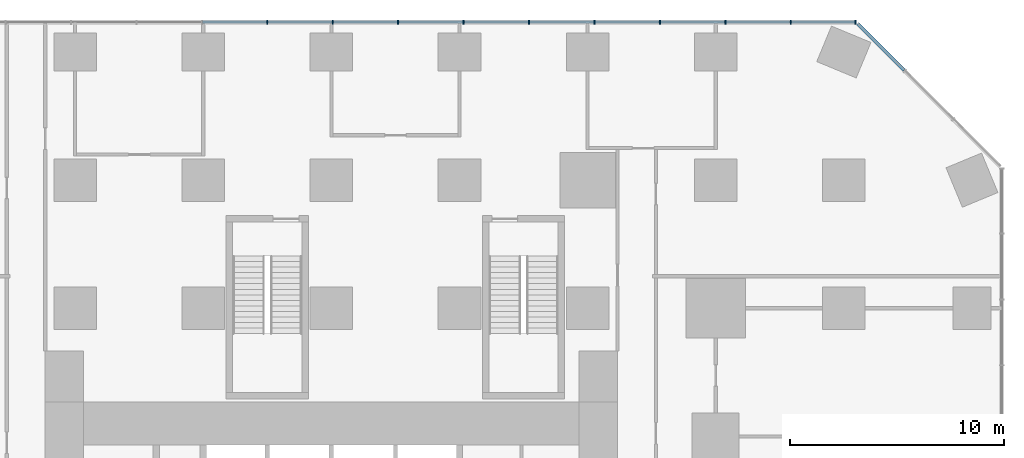
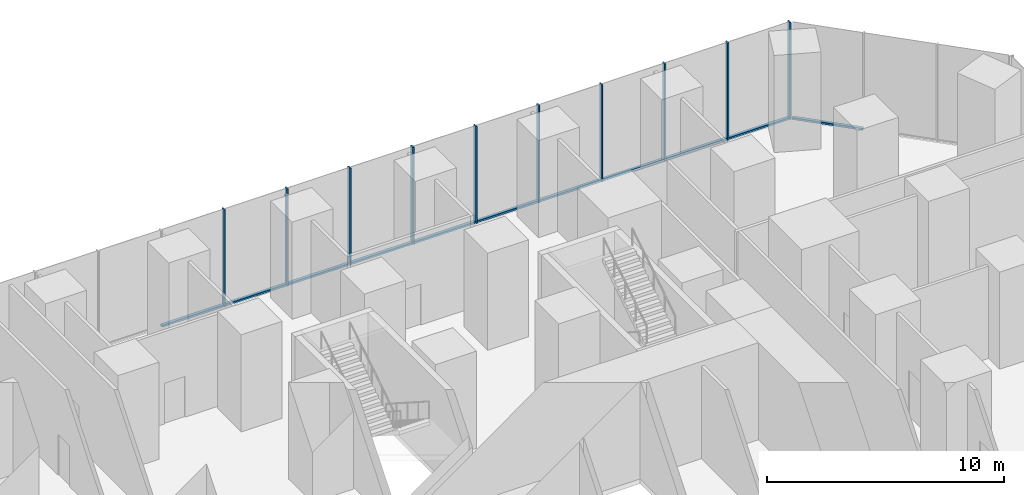
# One storey, part 6 of 15: 21 members, 2 elements without a shape of their own.
"""IFC4 building model written with IfcOpenShell, lengths in metres."""

from ifc_helpers import new_model, si_unit, direction, frame, origin, origin_2d, place, context, subcontext, project, spatial, rectangle, extrude, material, layer, layer_set, material_profile, profile_set, type_object, element, aggregate, save


model = new_model("IFC4")

# Units and contexts
model_context = context("Model", 3, precision=1e-05, world=origin(), true_north=direction((0.0, 1.0)))
body_context = subcontext(model_context, "Body", "Model", "MODEL_VIEW")
ifc_project = project(units=[si_unit("LENGTHUNIT", "METRE"), si_unit("AREAUNIT", "SQUARE_METRE"), si_unit("VOLUMEUNIT", "CUBIC_METRE"), si_unit("PLANEANGLEUNIT", "RADIAN"), si_unit("MASSUNIT", "GRAM", prefix="KILO")], contexts=[model_context])

# Site, building, storey
site_placement = place(None, origin())
site = spatial("IfcSite", under=ifc_project, at=site_placement, CompositionType="ELEMENT")
building_placement = place(site_placement, origin())
building = spatial("IfcBuilding", under=site, at=building_placement, Name="Highveld Stack Headquarters", CompositionType="ELEMENT")
storey_placement = place(building_placement, frame((0.0, 0.0, 6.0)))
storey = spatial("IfcBuildingStorey", under=building, at=storey_placement, Name="L01", CompositionType="ELEMENT", Elevation=6.0)

# Curtain wall, members
ifc_material_1 = material(Name="Aluminium bronze anodised", Category="aluminium")
ifc_layer = layer(ifc_material_1, 0.199951171875)
ifc_layer_set = layer_set([ifc_layer], Name="Aluminium bronze anodised")
curtain_wall_type = type_object("IfcCurtainWallType", Name="CW3 PODIUM STICK CURTAIN WALL", PredefinedType="NOTDEFINED", material=ifc_layer_set)
curtain_wall_1_placement = place(storey_placement, origin())
curtain_wall_1 = element("IfcCurtainWall", 1, at=curtain_wall_1_placement, inside=storey, type_object=curtain_wall_type, Name="Curtain wall CW3 L01 N", PredefinedType="NOTDEFINED")
ifc_material_2 = material(Name="Aluminium bronze anodised", Category="aluminium")
ifc_material_profile_1 = material_profile(ifc_material_2, rectangle(XDim=0.199951171875, YDim=0.06494140625, at=origin_2d()), Name="CW3 MULLION 65x200")
ifc_profile_set_1 = profile_set([ifc_material_profile_1], Name="Aluminium bronze anodised")
member_type_1 = type_object("IfcMemberType", Name="CW3 MULLION 65x200", PredefinedType="MULLION", material=ifc_profile_set_1)
member_1_placement = place(storey_placement, frame((30.54736328125, 31.39990234375, 0.0), z_axis=(0.0, 0.0, 1.0), x_axis=(0.0, -1.0, 0.0)))
member_1 = element("IfcMember", 2, at=member_1_placement, type_object=member_type_1, Name="CW3 mullion L01 1", PredefinedType="MULLION", context=body_context, shape_type="SweptSolid", body=[
    extrude(rectangle(XDim=0.199951171875, YDim=0.06494140625, at=origin_2d()), origin(), (0.0, 0.0, 1.0), 5.0),
])
member_2_placement = place(storey_placement, frame((27.515380859375, 31.39990234375, 0.0), z_axis=(0.0, 0.0, 1.0), x_axis=(0.0, -1.0, 0.0)))
member_2 = element("IfcMember", 3, at=member_2_placement, type_object=member_type_1, Name="CW3 mullion L01 2", PredefinedType="MULLION", context=body_context, shape_type="SweptSolid", body=[
    extrude(rectangle(XDim=0.199951171875, YDim=0.06494140625, at=origin_2d()), origin(), (0.0, 0.0, 1.0), 5.0),
])
member_3_placement = place(storey_placement, frame((24.450927734375, 31.39990234375, 0.0), z_axis=(0.0, 0.0, 1.0), x_axis=(0.0, -1.0, 0.0)))
member_3 = element("IfcMember", 4, at=member_3_placement, type_object=member_type_1, Name="CW3 mullion L01 3", PredefinedType="MULLION", context=body_context, shape_type="SweptSolid", body=[
    extrude(rectangle(XDim=0.199951171875, YDim=0.06494140625, at=origin_2d()), origin(), (0.0, 0.0, 1.0), 5.0),
])
member_4_placement = place(storey_placement, frame((21.38671875, 31.39990234375, 0.0), z_axis=(0.0, 0.0, 1.0), x_axis=(0.0, -1.0, 0.0)))
member_4 = element("IfcMember", 5, at=member_4_placement, type_object=member_type_1, Name="CW3 mullion L01 4", PredefinedType="MULLION", context=body_context, shape_type="SweptSolid", body=[
    extrude(rectangle(XDim=0.199951171875, YDim=0.06494140625, at=origin_2d()), origin(), (0.0, 0.0, 1.0), 5.0),
])
member_5_placement = place(storey_placement, frame((18.322265625, 31.39990234375, 0.0), z_axis=(0.0, 0.0, 1.0), x_axis=(0.0, -1.0, 0.0)))
member_5 = element("IfcMember", 6, at=member_5_placement, type_object=member_type_1, Name="CW3 mullion L01 5", PredefinedType="MULLION", context=body_context, shape_type="SweptSolid", body=[
    extrude(rectangle(XDim=0.199951171875, YDim=0.06494140625, at=origin_2d()), origin(), (0.0, 0.0, 1.0), 5.0),
])
member_6_placement = place(storey_placement, frame((15.2578125, 31.39990234375, 0.0), z_axis=(0.0, 0.0, 1.0), x_axis=(0.0, -1.0, 0.0)))
member_6 = element("IfcMember", 7, at=member_6_placement, type_object=member_type_1, Name="CW3 mullion L01 6", PredefinedType="MULLION", context=body_context, shape_type="SweptSolid", body=[
    extrude(rectangle(XDim=0.199951171875, YDim=0.06494140625, at=origin_2d()), origin(), (0.0, 0.0, 1.0), 5.0),
])
member_7_placement = place(storey_placement, frame((12.193359375, 31.39990234375, 0.0), z_axis=(0.0, 0.0, 1.0), x_axis=(0.0, -1.0, 0.0)))
member_7 = element("IfcMember", 8, at=member_7_placement, type_object=member_type_1, Name="CW3 mullion L01 7", PredefinedType="MULLION", context=body_context, shape_type="SweptSolid", body=[
    extrude(rectangle(XDim=0.199951171875, YDim=0.06494140625, at=origin_2d()), origin(), (0.0, 0.0, 1.0), 5.0),
])
member_8_placement = place(storey_placement, frame((9.12890625, 31.39990234375, 0.0), z_axis=(0.0, 0.0, 1.0), x_axis=(0.0, -1.0, 0.0)))
member_8 = element("IfcMember", 9, at=member_8_placement, type_object=member_type_1, Name="CW3 mullion L01 8", PredefinedType="MULLION", context=body_context, shape_type="SweptSolid", body=[
    extrude(rectangle(XDim=0.199951171875, YDim=0.06494140625, at=origin_2d()), origin(), (0.0, 0.0, 1.0), 5.0),
])
member_9_placement = place(storey_placement, frame((6.064453125, 31.39990234375, 0.0), z_axis=(0.0, 0.0, 1.0), x_axis=(0.0, -1.0, 0.0)))
member_9 = element("IfcMember", 10, at=member_9_placement, type_object=member_type_1, Name="CW3 mullion L01 9", PredefinedType="MULLION", context=body_context, shape_type="SweptSolid", body=[
    extrude(rectangle(XDim=0.199951171875, YDim=0.06494140625, at=origin_2d()), origin(), (0.0, 0.0, 1.0), 5.0),
])
member_10_placement = place(storey_placement, frame((3.0, 31.39990234375, 0.0), z_axis=(0.0, 0.0, 1.0), x_axis=(0.0, -1.0, 0.0)))
member_10 = element("IfcMember", 11, at=member_10_placement, type_object=member_type_1, Name="CW3 mullion L01 10", PredefinedType="MULLION", context=body_context, shape_type="SweptSolid", body=[
    extrude(rectangle(XDim=0.199951171875, YDim=0.06494140625, at=origin_2d()), origin(), (0.0, 0.0, 1.0), 5.0),
])

# Curtain wall, member
curtain_wall_2_placement = place(storey_placement, origin())
curtain_wall_2 = element("IfcCurtainWall", 12, at=curtain_wall_2_placement, inside=storey, type_object=curtain_wall_type, Name="Curtain wall CW3 L01 NE", PredefinedType="NOTDEFINED")
ifc_material_3 = material(Name="Aluminium bronze anodised", Category="aluminium")
ifc_material_profile_2 = material_profile(ifc_material_3, rectangle(XDim=0.14990234375, YDim=0.10009765625, at=origin_2d()), Name="CW3 TRANSOM 150x100")
ifc_profile_set_2 = profile_set([ifc_material_profile_2], Name="Aluminium bronze anodised")
member_type_2 = type_object("IfcMemberType", Name="CW3 STACK TRANSOM 150x100", PredefinedType="USERDEFINED", material=ifc_profile_set_2)
member_11_placement = place(storey_placement, frame((32.830322265625, 29.149658203125, 0.050048828125), z_axis=(-0.707106781187, 0.707106781187, 0.0), x_axis=(-0.707106781187, -0.707106781187, 0.0)))
member_11 = element("IfcMember", 13, at=member_11_placement, type_object=member_type_2, Name="CW3 transom L01 3.1", ObjectType="TRANSOM", PredefinedType="USERDEFINED", context=body_context, shape_type="SweptSolid", body=[
    extrude(rectangle(XDim=0.14990234375, YDim=0.10009765625, at=origin_2d()), origin(), (0.0, 0.0, 1.0), 3.08251953125),
])
aggregate(curtain_wall_2, [member_11])

# Member
member_12_placement = place(storey_placement, frame((30.514892578125, 31.39990234375, 0.050048828125), z_axis=(-1.0, 0.0, 0.0), x_axis=(0.0, -1.0, 0.0)))
member_12 = element("IfcMember", 14, at=member_12_placement, type_object=member_type_2, Name="CW3 transom L01 1.1", ObjectType="TRANSOM", PredefinedType="USERDEFINED", context=body_context, shape_type="SweptSolid", body=[
    extrude(rectangle(XDim=0.14990234375, YDim=0.10009765625, at=origin_2d()), origin(), (0.0, 0.0, 1.0), 2.966796875),
])

member_13_placement = place(storey_placement, frame((27.48291015625, 31.39990234375, 0.050048828125), z_axis=(-1.0, 0.0, 0.0), x_axis=(0.0, -1.0, 0.0)))
member_13 = element("IfcMember", 15, at=member_13_placement, type_object=member_type_2, Name="CW3 transom L01 2.1", ObjectType="TRANSOM", PredefinedType="USERDEFINED", context=body_context, shape_type="SweptSolid", body=[
    extrude(rectangle(XDim=0.14990234375, YDim=0.10009765625, at=origin_2d()), origin(), (0.0, 0.0, 1.0), 2.99951171875),
])

member_14_placement = place(storey_placement, frame((24.41845703125, 31.39990234375, 0.050048828125), z_axis=(-1.0, 0.0, 0.0), x_axis=(0.0, -1.0, 0.0)))
member_14 = element("IfcMember", 16, at=member_14_placement, type_object=member_type_2, Name="CW3 transom L01 3.1", ObjectType="TRANSOM", PredefinedType="USERDEFINED", context=body_context, shape_type="SweptSolid", body=[
    extrude(rectangle(XDim=0.14990234375, YDim=0.10009765625, at=origin_2d()), origin(), (0.0, 0.0, 1.0), 2.999267578125),
])

member_15_placement = place(storey_placement, frame((21.35400390625, 31.39990234375, 0.050048828125), z_axis=(-1.0, 0.0, 0.0), x_axis=(0.0, -1.0, 0.0)))
member_15 = element("IfcMember", 17, at=member_15_placement, type_object=member_type_2, Name="CW3 transom L01 4.1", ObjectType="TRANSOM", PredefinedType="USERDEFINED", context=body_context, shape_type="SweptSolid", body=[
    extrude(rectangle(XDim=0.14990234375, YDim=0.10009765625, at=origin_2d()), origin(), (0.0, 0.0, 1.0), 2.999267578125),
])

member_16_placement = place(storey_placement, frame((18.289794921875, 31.39990234375, 0.050048828125), z_axis=(-1.0, 0.0, 0.0), x_axis=(0.0, -1.0, 0.0)))
member_16 = element("IfcMember", 18, at=member_16_placement, type_object=member_type_2, Name="CW3 transom L01 5.1", ObjectType="TRANSOM", PredefinedType="USERDEFINED", context=body_context, shape_type="SweptSolid", body=[
    extrude(rectangle(XDim=0.14990234375, YDim=0.10009765625, at=origin_2d()), origin(), (0.0, 0.0, 1.0), 2.99951171875),
])

member_17_placement = place(storey_placement, frame((15.22509765625, 31.39990234375, 0.050048828125), z_axis=(-1.0, 0.0, 0.0), x_axis=(0.0, -1.0, 0.0)))
member_17 = element("IfcMember", 19, at=member_17_placement, type_object=member_type_2, Name="CW3 transom L01 6.1", ObjectType="TRANSOM", PredefinedType="USERDEFINED", context=body_context, shape_type="SweptSolid", body=[
    extrude(rectangle(XDim=0.14990234375, YDim=0.10009765625, at=origin_2d()), origin(), (0.0, 0.0, 1.0), 2.999267578125),
])

member_18_placement = place(storey_placement, frame((12.160888671875, 31.39990234375, 0.050048828125), z_axis=(-1.0, 0.0, 0.0), x_axis=(0.0, -1.0, 0.0)))
member_18 = element("IfcMember", 20, at=member_18_placement, type_object=member_type_2, Name="CW3 transom L01 7.1", ObjectType="TRANSOM", PredefinedType="USERDEFINED", context=body_context, shape_type="SweptSolid", body=[
    extrude(rectangle(XDim=0.14990234375, YDim=0.10009765625, at=origin_2d()), origin(), (0.0, 0.0, 1.0), 2.99951171875),
])

member_19_placement = place(storey_placement, frame((9.096435546875, 31.39990234375, 0.050048828125), z_axis=(-1.0, 0.0, 0.0), x_axis=(0.0, -1.0, 0.0)))
member_19 = element("IfcMember", 21, at=member_19_placement, type_object=member_type_2, Name="CW3 transom L01 8.1", ObjectType="TRANSOM", PredefinedType="USERDEFINED", context=body_context, shape_type="SweptSolid", body=[
    extrude(rectangle(XDim=0.14990234375, YDim=0.10009765625, at=origin_2d()), origin(), (0.0, 0.0, 1.0), 2.99951171875),
])

member_20_placement = place(storey_placement, frame((6.031982421875, 31.39990234375, 0.050048828125), z_axis=(-1.0, 0.0, 0.0), x_axis=(0.0, -1.0, 0.0)))
member_20 = element("IfcMember", 22, at=member_20_placement, type_object=member_type_2, Name="CW3 transom L01 9.1", ObjectType="TRANSOM", PredefinedType="USERDEFINED", context=body_context, shape_type="SweptSolid", body=[
    extrude(rectangle(XDim=0.14990234375, YDim=0.10009765625, at=origin_2d()), origin(), (0.0, 0.0, 1.0), 2.99951171875),
])

member_21_placement = place(storey_placement, frame((2.967529296875, 31.39990234375, 0.050048828125), z_axis=(-1.0, 0.0, 0.0), x_axis=(0.0, -1.0, 0.0)))
member_21 = element("IfcMember", 23, at=member_21_placement, type_object=member_type_2, Name="CW3 transom L01 10.1", ObjectType="TRANSOM", PredefinedType="USERDEFINED", context=body_context, shape_type="SweptSolid", body=[
    extrude(rectangle(XDim=0.14990234375, YDim=0.10009765625, at=origin_2d()), origin(), (0.0, 0.0, 1.0), 2.99951171875),
])

aggregate(curtain_wall_1, [member_1, member_2, member_3, member_4, member_5, member_6, member_7, member_8, member_9, member_10, member_12, member_13, member_14, member_15, member_16, member_17, member_18, member_19, member_20, member_21])

save(model, "model.ifc")
